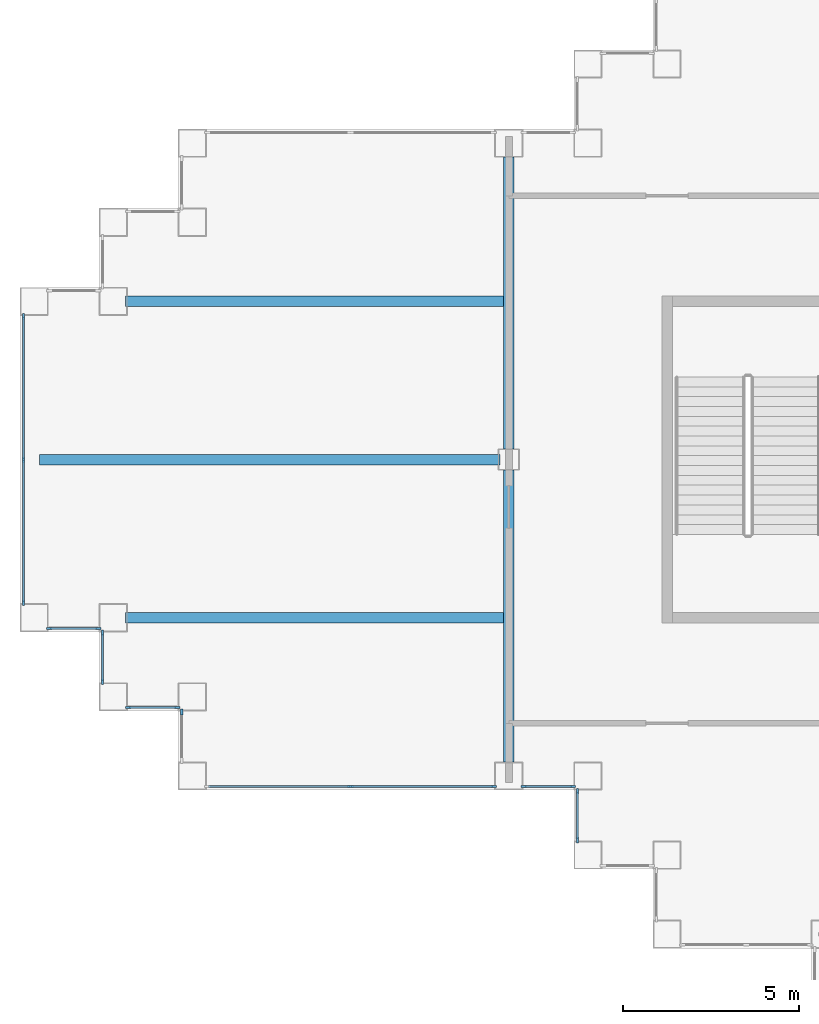
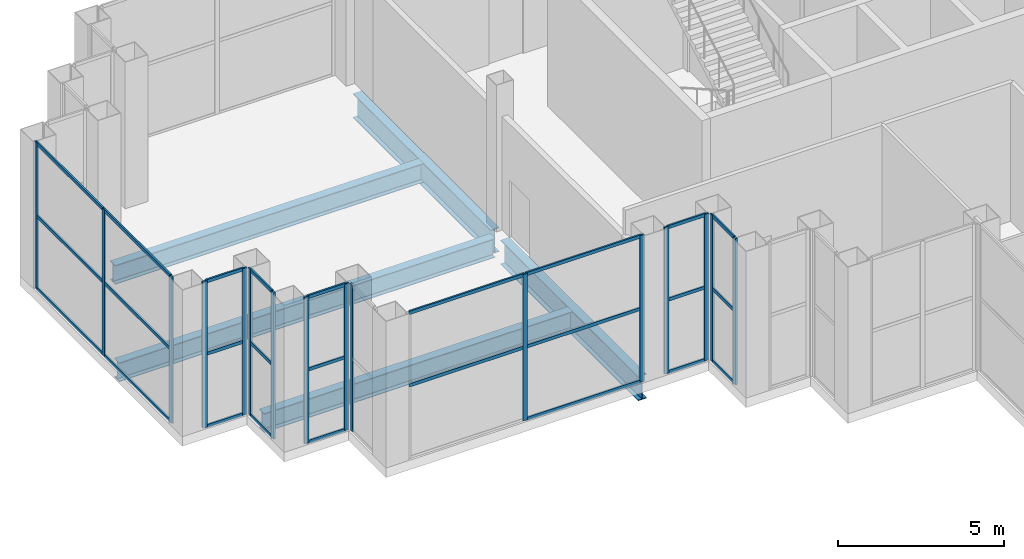
# One storey, part 4 of 18: 42 members, 5 beams, 8 elements without a shape of their own.
"""IFC4 building model written with IfcOpenShell, lengths in metres."""

import ifcopenshell
import ifcopenshell.guid

model = None  # the IFC model being written
_history = None  # IfcOwnerHistory: only IFC2X3 demands one
_inside = {}  # id of a spatial element -> (the spatial element, [elements in it])
_under = {}  # id of a project, library or spatial element -> (it, [spatial elements below it])
_declared = {}  # id of a project -> (the project, [libraries it declares])
_typed = {}  # id of a type object -> (the type object, [elements of that type])
_made_of = {}  # id of a material, layer set ... -> (it, [elements and type objects made of it])


def new_model(schema):
    """Start an empty IFC model of exactly this schema.

    Asked for "IFC4X3", IfcOpenShell would pick the latest addendum, in which some entities
    have other attributes; the version numbers below select the first issue.
    IFC2X3 requires an IfcOwnerHistory on every rooted entity: one is made here for all.
    """
    global model, _history
    if schema == "IFC4X3":
        model = ifcopenshell.file(schema_version=(4, 3, 0, 0))
    else:
        model = ifcopenshell.file(schema=schema)
    _inside.clear()
    _under.clear()
    _declared.clear()
    _typed.clear()
    _made_of.clear()
    _history = None
    if model.schema == "IFC2X3":
        org = make("IfcOrganization", Name="unknown")
        user = make(
            "IfcPersonAndOrganization",
            ThePerson=make("IfcPerson", FamilyName="unknown"),
            TheOrganization=org,
        )
        app = make(
            "IfcApplication",
            ApplicationDeveloper=org,
            Version="unknown",
            ApplicationFullName="unknown",
            ApplicationIdentifier="unknown",
        )
        _history = make(
            "IfcOwnerHistory",
            OwningUser=user,
            OwningApplication=app,
            ChangeAction="ADDED",
            CreationDate=0,
        )
    return model


def make(cls, **values):
    """One entity of the class cls with the attributes given. An attribute that is None is left unset."""
    return model.create_entity(
        cls, **{name: value for name, value in values.items() if value is not None}
    )


def rooted(cls, **values):
    """An entity with a GlobalId (a new one), such as an element, a storey or a relation."""
    return make(cls, GlobalId=ifcopenshell.guid.new(), OwnerHistory=_history, **values)


def si_unit(unit_type, name, prefix=None):
    """IfcSIUnit, for example si_unit("LENGTHUNIT", "METRE", prefix="MILLI")."""
    return make("IfcSIUnit", UnitType=unit_type, Prefix=prefix, Name=name)


def assignment(units):
    """IfcUnitAssignment: the units of a project."""
    return None if units is None else make("IfcUnitAssignment", Units=units)


def point(xyz):
    """IfcCartesianPoint."""
    return None if xyz is None else make("IfcCartesianPoint", Coordinates=xyz)


def direction(xyz):
    """IfcDirection."""
    return None if xyz is None else make("IfcDirection", DirectionRatios=xyz)


def frame(location, z_axis=None, x_axis=None):
    """IfcAxis2Placement3D, a coordinate frame: its origin and axes. An axis left out is left unset."""
    return make(
        "IfcAxis2Placement3D",
        Location=point(location),
        Axis=direction(z_axis),
        RefDirection=direction(x_axis),
    )


def frame_2d(location, x_axis=None):
    """IfcAxis2Placement2D, a coordinate frame in the plane: its origin and x axis."""
    return make(
        "IfcAxis2Placement2D", Location=point(location), RefDirection=direction(x_axis)
    )


def origin():
    """The frame at (0, 0, 0) with its axes left unset."""
    return frame((0.0, 0.0, 0.0))


def origin_2d():
    """The frame at (0, 0) in the plane with its x axis left unset."""
    return frame_2d((0.0, 0.0))


def place(relative_to, where):
    """IfcLocalPlacement: puts the frame where relative to a parent placement (None: the world)."""
    return make(
        "IfcLocalPlacement", PlacementRelTo=relative_to, RelativePlacement=where
    )


def context(
    kind, dimensions, precision=None, world=None, true_north=None, identifier=None
):
    """IfcGeometricRepresentationContext, for example the 3D "Model" context."""
    return make(
        "IfcGeometricRepresentationContext",
        ContextIdentifier=identifier,
        ContextType=kind,
        CoordinateSpaceDimension=dimensions,
        Precision=precision,
        WorldCoordinateSystem=world,
        TrueNorth=true_north,
    )


def subcontext(parent, identifier, kind, view, scale=None):
    """IfcGeometricRepresentationSubContext, for example "Body" below "Model"."""
    return make(
        "IfcGeometricRepresentationSubContext",
        ContextIdentifier=identifier,
        ContextType=kind,
        ParentContext=parent,
        TargetScale=scale,
        TargetView=view,
    )


def project(units=None, contexts=None):
    """IfcProject with its units and contexts."""
    return rooted(
        "IfcProject",
        Name="project",
        RepresentationContexts=contexts,
        UnitsInContext=assignment(units),
    )


def spatial(cls, under=None, at=None, **own):
    """A site, building, storey or space (cls), placed at a placement, below another one or the project."""
    s = rooted(cls, ObjectPlacement=at, **own)
    if under is not None:
        _under.setdefault(under.id(), (under, []))[1].append(s)
    return s


def profile(cls, at=None, kind="AREA", **sizes):
    """A parametric profile (cls). Its sizes go by their IFC names, for example OverallWidth=200.0."""
    return make(cls, ProfileType=kind, Position=at, **sizes)


def rectangle(**sizes):
    """IfcRectangleProfileDef."""
    return profile("IfcRectangleProfileDef", **sizes)


def i_section(**sizes):
    """IfcIShapeProfileDef."""
    return profile("IfcIShapeProfileDef", **sizes)


def extrude(swept, where, along, depth):
    """IfcExtrudedAreaSolid: the profile swept, set in the frame where, extruded along a direction by depth."""
    return make(
        "IfcExtrudedAreaSolid",
        SweptArea=swept,
        Position=where,
        ExtrudedDirection=direction(along),
        Depth=depth,
    )


def shape(context_of_items, identifier, shape_type, items):
    """IfcShapeRepresentation: the items that make up one representation, for example the "Body"."""
    return make(
        "IfcShapeRepresentation",
        ContextOfItems=context_of_items,
        RepresentationIdentifier=identifier,
        RepresentationType=shape_type,
        Items=items,
    )


def material(Name=None, Category=None):
    """IfcMaterial."""
    return make("IfcMaterial", Name=Name, Category=Category)


def layer(
    of_material, thickness, ventilated=None, Name=None, Category=None, Priority=None
):
    """IfcMaterialLayer: one layer of a wall or slab, of a material (None: an air gap)."""
    return make(
        "IfcMaterialLayer",
        Material=of_material,
        LayerThickness=thickness,
        IsVentilated=ventilated,
        Name=Name,
        Category=Category,
        Priority=Priority,
    )


def layer_set(layers, Name=None):
    """IfcMaterialLayerSet."""
    return make("IfcMaterialLayerSet", MaterialLayers=layers, LayerSetName=Name)


def material_profile(
    of_material, cross_section, Name=None, Category=None, Priority=None
):
    """IfcMaterialProfile: a cross section and its material."""
    return make(
        "IfcMaterialProfile",
        Name=Name,
        Material=of_material,
        Profile=cross_section,
        Priority=Priority,
        Category=Category,
    )


def profile_set(profiles, Name=None, composite=None):
    """IfcMaterialProfileSet."""
    return make(
        "IfcMaterialProfileSet",
        Name=Name,
        MaterialProfiles=profiles,
        CompositeProfile=composite,
    )


def made_of(thing, what):
    """Note that an element or type object is made of a material, layer set ...; save() writes the relation."""
    if what is not None:
        _made_of.setdefault(what.id(), (what, []))[1].append(thing)
    return thing


def type_object(cls, material=None, **own):
    """A type object (cls), such as IfcWallType, which elements share."""
    return made_of(rooted(cls, **own), material)


def element(
    cls,
    number,
    at=None,
    inside=None,
    cuts=None,
    type_object=None,
    material=None,
    context=None,
    identifier="Body",
    shape_type=None,
    held_by="IfcProductDefinitionShape",
    body=None,
    shapes=None,
    **own,
):
    """One element of the class cls, such as IfcWall. Its Tag is "e" and its number.

    at: its placement. inside: the storey or other place that contains it. cuts: it is an
    opening in that element (IfcRelVoidsElement). A single representation is given by context,
    identifier, shape_type and body (its items); several are given by shapes. held_by: the class
    of the entity that holds the representations. save() writes the other relations.
    """
    e = rooted(cls, Tag="e%d" % number, ObjectPlacement=at, **own)
    if body is not None:
        shapes = [shape(context, identifier, shape_type, body)]
    if shapes is not None:
        e.Representation = make(held_by, Representations=shapes)
    if inside is not None:
        _inside.setdefault(inside.id(), (inside, []))[1].append(e)
    if cuts is not None:
        rooted(
            "IfcRelVoidsElement", RelatingBuildingElement=cuts, RelatedOpeningElement=e
        )
    if type_object is not None:
        _typed.setdefault(type_object.id(), (type_object, []))[1].append(e)
    return made_of(e, material)


def aggregate(whole, parts):
    """IfcRelAggregates: a whole, such as a stair, and the parts it consists of."""
    return rooted("IfcRelAggregates", RelatingObject=whole, RelatedObjects=parts)


def save(model, path):
    """Write the relations noted so far, then the file.

    IfcRelAggregates (storeys below a building ...), IfcRelContainedInSpatialStructure (elements
    in a storey), IfcRelDefinesByType, IfcRelAssociatesMaterial and IfcRelDeclares: one each for
    every whole, place, type object, material and project.
    """
    for whole, parts in _under.values():
        aggregate(whole, parts)
    for where, things in _inside.values():
        rooted(
            "IfcRelContainedInSpatialStructure",
            RelatedElements=things,
            RelatingStructure=where,
        )
    for kind, things in _typed.values():
        rooted("IfcRelDefinesByType", RelatedObjects=things, RelatingType=kind)
    for what, things in _made_of.values():
        rooted("IfcRelAssociatesMaterial", RelatedObjects=things, RelatingMaterial=what)
    for by, libraries in _declared.values():
        rooted("IfcRelDeclares", RelatingContext=by, RelatedDefinitions=libraries)
    model.write(path)


model = new_model("IFC4")

# Units and contexts
model_context = context("Model", 3, precision=1e-05, world=origin(), true_north=direction((0.0, 1.0)))
body_context = subcontext(model_context, "Body", "Model", "MODEL_VIEW")
ifc_project = project(units=[si_unit("LENGTHUNIT", "METRE"), si_unit("AREAUNIT", "SQUARE_METRE"), si_unit("VOLUMEUNIT", "CUBIC_METRE"), si_unit("PLANEANGLEUNIT", "RADIAN"), si_unit("MASSUNIT", "GRAM", prefix="KILO")], contexts=[model_context])

# Site, building, storey
site_placement = place(None, origin())
site = spatial("IfcSite", under=ifc_project, at=site_placement, CompositionType="ELEMENT")
building_placement = place(site_placement, origin())
building = spatial("IfcBuilding", under=site, at=building_placement, Name="Caravel Reach Hotel and Residences", CompositionType="ELEMENT")
storey_placement = place(building_placement, frame((0.0, 0.0, 145.199951171875)))
storey = spatial("IfcBuildingStorey", under=building, at=storey_placement, Name="L36", CompositionType="ELEMENT", Elevation=145.199951171875)

# Beams
ifc_material_1 = material(Name="Structural steel Q355B", Category="steel")
ifc_material_profile_1 = material_profile(ifc_material_1, i_section(OverallWidth=0.300048828125, OverallDepth=0.699951171875, WebThickness=0.012939453125, FlangeThickness=0.02392578125, FilletRadius=0.01806640625, at=origin_2d()), Name="HN 700x300x13x24")
ifc_profile_set_1 = profile_set([ifc_material_profile_1], Name="Structural steel Q355B")
beam_type_1 = type_object("IfcBeamType", Name="Beam HN 700x300x13x24", PredefinedType="BEAM", material=ifc_profile_set_1)
beam_1_placement = place(storey_placement, frame((13.35009765625, 22.5, -0.699951171875), z_axis=(-1.0, 0.0, 0.0), x_axis=(0.0, -1.0, 0.0)))
element("IfcBeam", 1, at=beam_1_placement, inside=storey, type_object=beam_type_1, Name="B2 HN 700x300x13x24", PredefinedType="BEAM", context=body_context, shape_type="SweptSolid", body=[
    extrude(i_section(OverallWidth=0.300048828125, OverallDepth=0.699951171875, WebThickness=0.012939453125, FlangeThickness=0.02392578125, FilletRadius=0.01806640625, at=origin_2d()), origin(), (0.0, 0.0, 1.0), 10.75),
])
beam_2_placement = place(storey_placement, frame((13.25, 27.0, -0.699951171875), z_axis=(-1.0, 0.0, 0.0), x_axis=(0.0, -1.0, 0.0)))
element("IfcBeam", 2, at=beam_2_placement, inside=storey, type_object=beam_type_1, Name="B2 HN 700x300x13x24", PredefinedType="BEAM", context=body_context, shape_type="SweptSolid", body=[
    extrude(i_section(OverallWidth=0.300048828125, OverallDepth=0.699951171875, WebThickness=0.012939453125, FlangeThickness=0.02392578125, FilletRadius=0.01806640625, at=origin_2d()), origin(), (0.0, 0.0, 1.0), 13.10009765625),
])
beam_3_placement = place(storey_placement, frame((13.35009765625, 31.5, -0.699951171875), z_axis=(-1.0, 0.0, 0.0), x_axis=(0.0, -1.0, 0.0)))
element("IfcBeam", 3, at=beam_3_placement, inside=storey, type_object=beam_type_1, Name="B2 HN 700x300x13x24", PredefinedType="BEAM", context=body_context, shape_type="SweptSolid", body=[
    extrude(i_section(OverallWidth=0.300048828125, OverallDepth=0.699951171875, WebThickness=0.012939453125, FlangeThickness=0.02392578125, FilletRadius=0.01806640625, at=origin_2d()), origin(), (0.0, 0.0, 1.0), 10.75),
])
ifc_material_2 = material(Name="Structural steel Q355B", Category="steel")
ifc_material_profile_2 = material_profile(ifc_material_2, i_section(OverallWidth=0.300048828125, OverallDepth=0.89990234375, WebThickness=0.01611328125, FlangeThickness=0.028076171875, FilletRadius=0.01806640625, at=origin_2d()), Name="HN 900x300x16x28")
ifc_profile_set_2 = profile_set([ifc_material_profile_2], Name="Structural steel Q355B")
beam_type_2 = type_object("IfcBeamType", Name="Beam HN 900x300x16x28", PredefinedType="BEAM", material=ifc_profile_set_2)
for number, where, z_axis, x_axis, name in (
    (4, (13.5, 18.39990234375, -0.800048828125), (0.0, 1.0, 0.0), (-1.0, 0.0, 0.0), "B3 HN 900x300x16x28"),
    (5, (13.5, 27.300048828125, -0.800048828125), (0.0, 1.0, 0.0), (-1.0, 0.0, 0.0), "B3 HN 900x300x16x28"),
):
    element("IfcBeam", number, at=place(storey_placement, frame(where, z_axis=z_axis, x_axis=x_axis)), inside=storey, type_object=beam_type_2, Name=name, PredefinedType="BEAM", context=body_context, shape_type="SweptSolid", body=[
        extrude(i_section(OverallWidth=0.300048828125, OverallDepth=0.89990234375, WebThickness=0.01611328125, FlangeThickness=0.028076171875, FilletRadius=0.01806640625, at=origin_2d()), origin(), (0.0, 0.0, 1.0), 8.300048828125),
    ])

# Curtain wall, members
ifc_material_3 = material(Name="Dark low-e glazing in black aluminium frame", Category="aluminium")
ifc_layer = layer(ifc_material_3, 0.199951171875)
ifc_layer_set = layer_set([ifc_layer], Name="CW2 Sky lobby glazing")
curtain_wall_type = type_object("IfcCurtainWallType", Name="CW2 Sky lobby glazing", PredefinedType="NOTDEFINED", material=ifc_layer_set)
curtain_wall_1_placement = place(storey_placement, origin())
curtain_wall_1 = element("IfcCurtainWall", 6, at=curtain_wall_1_placement, inside=storey, type_object=curtain_wall_type, Name="Sky lobby glazing b0", PredefinedType="NOTDEFINED")
ifc_material_4 = material(Name="Anodised aluminium alloy 6063-T5, black", Category="aluminium")
ifc_material_profile_3 = material_profile(ifc_material_4, rectangle(XDim=0.06005859375, YDim=0.159912109375, at=origin_2d()), Name="CW mullion 60 x 160")
ifc_profile_set_3 = profile_set([ifc_material_profile_3], Name="Anodised aluminium alloy 6063-T5, black")
member_type_1 = type_object("IfcMemberType", Name="CW mullion 60 x 160", PredefinedType="MULLION", material=ifc_profile_set_3)
member_1_placement = place(storey_placement, frame((-0.300048828125, 31.070068359375, 0.0), z_axis=(0.0, 0.0, 1.0), x_axis=(1.0, 0.0, 0.0)))
member_1 = element("IfcMember", 7, at=member_1_placement, type_object=member_type_1, Name="CW2 mullion 1", PredefinedType="MULLION", context=body_context, shape_type="SweptSolid", body=[
    extrude(rectangle(XDim=0.06005859375, YDim=0.159912109375, at=origin_2d()), origin(), (0.0, 0.0, 1.0), 5.400146484375),
])
member_2_placement = place(storey_placement, frame((-0.300048828125, 27.0, 0.0), z_axis=(0.0, 0.0, 1.0), x_axis=(1.0, 0.0, 0.0)))
member_2 = element("IfcMember", 8, at=member_2_placement, type_object=member_type_1, Name="CW2 mullion 2", PredefinedType="MULLION", context=body_context, shape_type="SweptSolid", body=[
    extrude(rectangle(XDim=0.06005859375, YDim=0.159912109375, at=origin_2d()), origin(), (0.0, 0.0, 1.0), 5.400146484375),
])
member_3_placement = place(storey_placement, frame((-0.300048828125, 22.929931640625, 0.0), z_axis=(0.0, 0.0, 1.0), x_axis=(1.0, 0.0, 0.0)))
member_3 = element("IfcMember", 9, at=member_3_placement, type_object=member_type_1, Name="CW2 mullion 3", PredefinedType="MULLION", context=body_context, shape_type="SweptSolid", body=[
    extrude(rectangle(XDim=0.06005859375, YDim=0.159912109375, at=origin_2d()), origin(), (0.0, 0.0, 1.0), 5.400146484375),
])

curtain_wall_2_placement = place(storey_placement, origin())
curtain_wall_2 = element("IfcCurtainWall", 10, at=curtain_wall_2_placement, inside=storey, type_object=curtain_wall_type, Name="Sky lobby glazing b0", PredefinedType="NOTDEFINED")
member_4_placement = place(storey_placement, frame((0.429931640625, 22.199951171875, 0.0), z_axis=(0.0, 0.0, 1.0), x_axis=(0.0, 1.0, 0.0)))
member_4 = element("IfcMember", 11, at=member_4_placement, type_object=member_type_1, Name="CW2 mullion 1", PredefinedType="MULLION", context=body_context, shape_type="SweptSolid", body=[
    extrude(rectangle(XDim=0.06005859375, YDim=0.159912109375, at=origin_2d()), origin(), (0.0, 0.0, 1.0), 5.400146484375),
])
member_5_placement = place(storey_placement, frame((1.820068359375, 22.199951171875, 0.0), z_axis=(0.0, 0.0, 1.0), x_axis=(0.0, 1.0, 0.0)))
member_5 = element("IfcMember", 12, at=member_5_placement, type_object=member_type_1, Name="CW2 mullion 2", PredefinedType="MULLION", context=body_context, shape_type="SweptSolid", body=[
    extrude(rectangle(XDim=0.06005859375, YDim=0.159912109375, at=origin_2d()), origin(), (0.0, 0.0, 1.0), 5.400146484375),
])

curtain_wall_3_placement = place(storey_placement, origin())
curtain_wall_3 = element("IfcCurtainWall", 13, at=curtain_wall_3_placement, inside=storey, type_object=curtain_wall_type, Name="Sky lobby glazing b0", PredefinedType="NOTDEFINED")
member_6_placement = place(storey_placement, frame((1.949951171875, 22.070068359375, 0.0), z_axis=(0.0, 0.0, 1.0), x_axis=(1.0, 0.0, 0.0)))
member_6 = element("IfcMember", 14, at=member_6_placement, type_object=member_type_1, Name="CW2 mullion 1", PredefinedType="MULLION", context=body_context, shape_type="SweptSolid", body=[
    extrude(rectangle(XDim=0.06005859375, YDim=0.159912109375, at=origin_2d()), origin(), (0.0, 0.0, 1.0), 5.400146484375),
])
member_7_placement = place(storey_placement, frame((1.949951171875, 20.679931640625, 0.0), z_axis=(0.0, 0.0, 1.0), x_axis=(1.0, 0.0, 0.0)))
member_7 = element("IfcMember", 15, at=member_7_placement, type_object=member_type_1, Name="CW2 mullion 2", PredefinedType="MULLION", context=body_context, shape_type="SweptSolid", body=[
    extrude(rectangle(XDim=0.06005859375, YDim=0.159912109375, at=origin_2d()), origin(), (0.0, 0.0, 1.0), 5.400146484375),
])

curtain_wall_4_placement = place(storey_placement, origin())
curtain_wall_4 = element("IfcCurtainWall", 16, at=curtain_wall_4_placement, inside=storey, type_object=curtain_wall_type, Name="Sky lobby glazing b0", PredefinedType="NOTDEFINED")
member_8_placement = place(storey_placement, frame((2.679931640625, 19.949951171875, 0.0), z_axis=(0.0, 0.0, 1.0), x_axis=(0.0, 1.0, 0.0)))
member_8 = element("IfcMember", 17, at=member_8_placement, type_object=member_type_1, Name="CW2 mullion 1", PredefinedType="MULLION", context=body_context, shape_type="SweptSolid", body=[
    extrude(rectangle(XDim=0.06005859375, YDim=0.159912109375, at=origin_2d()), origin(), (0.0, 0.0, 1.0), 5.400146484375),
])
member_9_placement = place(storey_placement, frame((4.070068359375, 19.949951171875, 0.0), z_axis=(0.0, 0.0, 1.0), x_axis=(0.0, 1.0, 0.0)))
member_9 = element("IfcMember", 18, at=member_9_placement, type_object=member_type_1, Name="CW2 mullion 2", PredefinedType="MULLION", context=body_context, shape_type="SweptSolid", body=[
    extrude(rectangle(XDim=0.06005859375, YDim=0.159912109375, at=origin_2d()), origin(), (0.0, 0.0, 1.0), 5.400146484375),
])

# Curtain wall, member
curtain_wall_5_placement = place(storey_placement, origin())
curtain_wall_5 = element("IfcCurtainWall", 19, at=curtain_wall_5_placement, inside=storey, type_object=curtain_wall_type, Name="Sky lobby glazing b0", PredefinedType="NOTDEFINED")
member_10_placement = place(storey_placement, frame((4.199951171875, 19.820068359375, 0.0), z_axis=(0.0, 0.0, 1.0), x_axis=(1.0, 0.0, 0.0)))
member_10 = element("IfcMember", 20, at=member_10_placement, type_object=member_type_1, Name="CW2 mullion 1", PredefinedType="MULLION", context=body_context, shape_type="SweptSolid", body=[
    extrude(rectangle(XDim=0.06005859375, YDim=0.159912109375, at=origin_2d()), origin(), (0.0, 0.0, 1.0), 5.400146484375),
])
aggregate(curtain_wall_5, [member_10])

# Curtain wall, members
curtain_wall_6_placement = place(storey_placement, origin())
curtain_wall_6 = element("IfcCurtainWall", 21, at=curtain_wall_6_placement, inside=storey, type_object=curtain_wall_type, Name="Sky lobby glazing b0", PredefinedType="NOTDEFINED")
member_11_placement = place(storey_placement, frame((9.0, 17.699951171875, 0.0), z_axis=(0.0, 0.0, 1.0), x_axis=(0.0, 1.0, 0.0)))
member_11 = element("IfcMember", 22, at=member_11_placement, type_object=member_type_1, Name="CW2 mullion 2", PredefinedType="MULLION", context=body_context, shape_type="SweptSolid", body=[
    extrude(rectangle(XDim=0.06005859375, YDim=0.159912109375, at=origin_2d()), origin(), (0.0, 0.0, 1.0), 5.400146484375),
])
member_12_placement = place(storey_placement, frame((13.070068359375, 17.699951171875, 0.0), z_axis=(0.0, 0.0, 1.0), x_axis=(0.0, 1.0, 0.0)))
member_12 = element("IfcMember", 23, at=member_12_placement, type_object=member_type_1, Name="CW2 mullion 3", PredefinedType="MULLION", context=body_context, shape_type="SweptSolid", body=[
    extrude(rectangle(XDim=0.06005859375, YDim=0.159912109375, at=origin_2d()), origin(), (0.0, 0.0, 1.0), 5.400146484375),
])

curtain_wall_7_placement = place(storey_placement, origin())
curtain_wall_7 = element("IfcCurtainWall", 24, at=curtain_wall_7_placement, inside=storey, type_object=curtain_wall_type, Name="Sky lobby glazing b1", PredefinedType="NOTDEFINED")
member_13_placement = place(storey_placement, frame((13.929931640625, 17.699951171875, 0.0), z_axis=(0.0, 0.0, 1.0), x_axis=(0.0, 1.0, 0.0)))
member_13 = element("IfcMember", 25, at=member_13_placement, type_object=member_type_1, Name="CW2 mullion 1", PredefinedType="MULLION", context=body_context, shape_type="SweptSolid", body=[
    extrude(rectangle(XDim=0.06005859375, YDim=0.159912109375, at=origin_2d()), origin(), (0.0, 0.0, 1.0), 5.400146484375),
])
member_14_placement = place(storey_placement, frame((15.320068359375, 17.699951171875, 0.0), z_axis=(0.0, 0.0, 1.0), x_axis=(0.0, 1.0, 0.0)))
member_14 = element("IfcMember", 26, at=member_14_placement, type_object=member_type_1, Name="CW2 mullion 2", PredefinedType="MULLION", context=body_context, shape_type="SweptSolid", body=[
    extrude(rectangle(XDim=0.06005859375, YDim=0.159912109375, at=origin_2d()), origin(), (0.0, 0.0, 1.0), 5.400146484375),
])

curtain_wall_8_placement = place(storey_placement, origin())
curtain_wall_8 = element("IfcCurtainWall", 27, at=curtain_wall_8_placement, inside=storey, type_object=curtain_wall_type, Name="Sky lobby glazing b0", PredefinedType="NOTDEFINED")
member_15_placement = place(storey_placement, frame((15.449951171875, 17.570068359375, 0.0), z_axis=(0.0, 0.0, 1.0), x_axis=(1.0, 0.0, 0.0)))
member_15 = element("IfcMember", 28, at=member_15_placement, type_object=member_type_1, Name="CW2 mullion 1", PredefinedType="MULLION", context=body_context, shape_type="SweptSolid", body=[
    extrude(rectangle(XDim=0.06005859375, YDim=0.159912109375, at=origin_2d()), origin(), (0.0, 0.0, 1.0), 5.400146484375),
])
member_16_placement = place(storey_placement, frame((15.449951171875, 16.179931640625, 0.0), z_axis=(0.0, 0.0, 1.0), x_axis=(1.0, 0.0, 0.0)))
member_16 = element("IfcMember", 29, at=member_16_placement, type_object=member_type_1, Name="CW2 mullion 2", PredefinedType="MULLION", context=body_context, shape_type="SweptSolid", body=[
    extrude(rectangle(XDim=0.06005859375, YDim=0.159912109375, at=origin_2d()), origin(), (0.0, 0.0, 1.0), 5.400146484375),
])

# Member
ifc_material_5 = material(Name="Anodised aluminium alloy 6063-T5, black", Category="aluminium")
ifc_material_profile_4 = material_profile(ifc_material_5, rectangle(XDim=0.06005859375, YDim=0.1201171875, at=origin_2d()), Name="CW transom 60 x 120")
ifc_profile_set_4 = profile_set([ifc_material_profile_4], Name="Anodised aluminium alloy 6063-T5, black")
member_type_2 = type_object("IfcMemberType", Name="CW transom 60 x 120", PredefinedType="USERDEFINED", material=ifc_profile_set_4)
member_17_placement = place(storey_placement, frame((-0.300048828125, 31.0400390625, 0.030029296875), z_axis=(0.0, -1.0, 0.0), x_axis=(1.0, 0.0, 0.0)))
member_17 = element("IfcMember", 30, at=member_17_placement, type_object=member_type_2, Name="CW2 transom 1.1", ObjectType="TRANSOM", PredefinedType="USERDEFINED", context=body_context, shape_type="SweptSolid", body=[
    extrude(rectangle(XDim=0.06005859375, YDim=0.1201171875, at=origin_2d()), origin(), (0.0, 0.0, 1.0), 4.010009765625),
])

member_18_placement = place(storey_placement, frame((-0.300048828125, 31.0400390625, 2.699951171875), z_axis=(0.0, -1.0, 0.0), x_axis=(1.0, 0.0, 0.0)))
member_18 = element("IfcMember", 31, at=member_18_placement, type_object=member_type_2, Name="CW2 transom 1.2", ObjectType="TRANSOM", PredefinedType="USERDEFINED", context=body_context, shape_type="SweptSolid", body=[
    extrude(rectangle(XDim=0.06005859375, YDim=0.1201171875, at=origin_2d()), origin(), (0.0, 0.0, 1.0), 4.010009765625),
])

member_19_placement = place(storey_placement, frame((-0.300048828125, 31.0400390625, 5.3701171875), z_axis=(0.0, -1.0, 0.0), x_axis=(1.0, 0.0, 0.0)))
member_19 = element("IfcMember", 32, at=member_19_placement, type_object=member_type_2, Name="CW2 transom 1.3", ObjectType="TRANSOM", PredefinedType="USERDEFINED", context=body_context, shape_type="SweptSolid", body=[
    extrude(rectangle(XDim=0.06005859375, YDim=0.1201171875, at=origin_2d()), origin(), (0.0, 0.0, 1.0), 4.010009765625),
])

member_20_placement = place(storey_placement, frame((-0.300048828125, 26.969970703125, 0.030029296875), z_axis=(0.0, -1.0, 0.0), x_axis=(1.0, 0.0, 0.0)))
member_20 = element("IfcMember", 33, at=member_20_placement, type_object=member_type_2, Name="CW2 transom 2.1", ObjectType="TRANSOM", PredefinedType="USERDEFINED", context=body_context, shape_type="SweptSolid", body=[
    extrude(rectangle(XDim=0.06005859375, YDim=0.1201171875, at=origin_2d()), origin(), (0.0, 0.0, 1.0), 4.010009765625),
])

member_21_placement = place(storey_placement, frame((-0.300048828125, 26.969970703125, 2.699951171875), z_axis=(0.0, -1.0, 0.0), x_axis=(1.0, 0.0, 0.0)))
member_21 = element("IfcMember", 34, at=member_21_placement, type_object=member_type_2, Name="CW2 transom 2.2", ObjectType="TRANSOM", PredefinedType="USERDEFINED", context=body_context, shape_type="SweptSolid", body=[
    extrude(rectangle(XDim=0.06005859375, YDim=0.1201171875, at=origin_2d()), origin(), (0.0, 0.0, 1.0), 4.010009765625),
])

member_22_placement = place(storey_placement, frame((-0.300048828125, 26.969970703125, 5.3701171875), z_axis=(0.0, -1.0, 0.0), x_axis=(1.0, 0.0, 0.0)))
member_22 = element("IfcMember", 35, at=member_22_placement, type_object=member_type_2, Name="CW2 transom 2.3", ObjectType="TRANSOM", PredefinedType="USERDEFINED", context=body_context, shape_type="SweptSolid", body=[
    extrude(rectangle(XDim=0.06005859375, YDim=0.1201171875, at=origin_2d()), origin(), (0.0, 0.0, 1.0), 4.010009765625),
])

aggregate(curtain_wall_1, [member_1, member_2, member_3, member_17, member_18, member_19, member_20, member_21, member_22])

member_23_placement = place(storey_placement, frame((0.4599609375, 22.199951171875, 0.030029296875), z_axis=(1.0, 0.0, 0.0), x_axis=(0.0, 1.0, 0.0)))
member_23 = element("IfcMember", 36, at=member_23_placement, type_object=member_type_2, Name="CW2 transom 1.1", ObjectType="TRANSOM", PredefinedType="USERDEFINED", context=body_context, shape_type="SweptSolid", body=[
    extrude(rectangle(XDim=0.06005859375, YDim=0.1201171875, at=origin_2d()), origin(), (0.0, 0.0, 1.0), 1.330078125),
])

member_24_placement = place(storey_placement, frame((0.4599609375, 22.199951171875, 2.699951171875), z_axis=(1.0, 0.0, 0.0), x_axis=(0.0, 1.0, 0.0)))
member_24 = element("IfcMember", 37, at=member_24_placement, type_object=member_type_2, Name="CW2 transom 1.2", ObjectType="TRANSOM", PredefinedType="USERDEFINED", context=body_context, shape_type="SweptSolid", body=[
    extrude(rectangle(XDim=0.06005859375, YDim=0.1201171875, at=origin_2d()), origin(), (0.0, 0.0, 1.0), 1.330078125),
])

member_25_placement = place(storey_placement, frame((0.4599609375, 22.199951171875, 5.3701171875), z_axis=(1.0, 0.0, 0.0), x_axis=(0.0, 1.0, 0.0)))
member_25 = element("IfcMember", 38, at=member_25_placement, type_object=member_type_2, Name="CW2 transom 1.3", ObjectType="TRANSOM", PredefinedType="USERDEFINED", context=body_context, shape_type="SweptSolid", body=[
    extrude(rectangle(XDim=0.06005859375, YDim=0.1201171875, at=origin_2d()), origin(), (0.0, 0.0, 1.0), 1.330078125),
])

aggregate(curtain_wall_2, [member_4, member_5, member_23, member_24, member_25])

member_26_placement = place(storey_placement, frame((1.949951171875, 22.0400390625, 0.030029296875), z_axis=(0.0, -1.0, 0.0), x_axis=(1.0, 0.0, 0.0)))
member_26 = element("IfcMember", 39, at=member_26_placement, type_object=member_type_2, Name="CW2 transom 1.1", ObjectType="TRANSOM", PredefinedType="USERDEFINED", context=body_context, shape_type="SweptSolid", body=[
    extrude(rectangle(XDim=0.06005859375, YDim=0.1201171875, at=origin_2d()), origin(), (0.0, 0.0, 1.0), 1.330078125),
])

member_27_placement = place(storey_placement, frame((1.949951171875, 22.0400390625, 2.699951171875), z_axis=(0.0, -1.0, 0.0), x_axis=(1.0, 0.0, 0.0)))
member_27 = element("IfcMember", 40, at=member_27_placement, type_object=member_type_2, Name="CW2 transom 1.2", ObjectType="TRANSOM", PredefinedType="USERDEFINED", context=body_context, shape_type="SweptSolid", body=[
    extrude(rectangle(XDim=0.06005859375, YDim=0.1201171875, at=origin_2d()), origin(), (0.0, 0.0, 1.0), 1.330078125),
])

member_28_placement = place(storey_placement, frame((1.949951171875, 22.0400390625, 5.3701171875), z_axis=(0.0, -1.0, 0.0), x_axis=(1.0, 0.0, 0.0)))
member_28 = element("IfcMember", 41, at=member_28_placement, type_object=member_type_2, Name="CW2 transom 1.3", ObjectType="TRANSOM", PredefinedType="USERDEFINED", context=body_context, shape_type="SweptSolid", body=[
    extrude(rectangle(XDim=0.06005859375, YDim=0.1201171875, at=origin_2d()), origin(), (0.0, 0.0, 1.0), 1.330078125),
])

aggregate(curtain_wall_3, [member_6, member_7, member_26, member_27, member_28])

member_29_placement = place(storey_placement, frame((2.7099609375, 19.949951171875, 0.030029296875), z_axis=(1.0, 0.0, 0.0), x_axis=(0.0, 1.0, 0.0)))
member_29 = element("IfcMember", 42, at=member_29_placement, type_object=member_type_2, Name="CW2 transom 1.1", ObjectType="TRANSOM", PredefinedType="USERDEFINED", context=body_context, shape_type="SweptSolid", body=[
    extrude(rectangle(XDim=0.06005859375, YDim=0.1201171875, at=origin_2d()), origin(), (0.0, 0.0, 1.0), 1.330078125),
])

member_30_placement = place(storey_placement, frame((2.7099609375, 19.949951171875, 2.699951171875), z_axis=(1.0, 0.0, 0.0), x_axis=(0.0, 1.0, 0.0)))
member_30 = element("IfcMember", 43, at=member_30_placement, type_object=member_type_2, Name="CW2 transom 1.2", ObjectType="TRANSOM", PredefinedType="USERDEFINED", context=body_context, shape_type="SweptSolid", body=[
    extrude(rectangle(XDim=0.06005859375, YDim=0.1201171875, at=origin_2d()), origin(), (0.0, 0.0, 1.0), 1.330078125),
])

member_31_placement = place(storey_placement, frame((2.7099609375, 19.949951171875, 5.3701171875), z_axis=(1.0, 0.0, 0.0), x_axis=(0.0, 1.0, 0.0)))
member_31 = element("IfcMember", 44, at=member_31_placement, type_object=member_type_2, Name="CW2 transom 1.3", ObjectType="TRANSOM", PredefinedType="USERDEFINED", context=body_context, shape_type="SweptSolid", body=[
    extrude(rectangle(XDim=0.06005859375, YDim=0.1201171875, at=origin_2d()), origin(), (0.0, 0.0, 1.0), 1.330078125),
])

aggregate(curtain_wall_4, [member_8, member_9, member_29, member_30, member_31])

member_32_placement = place(storey_placement, frame((4.9599609375, 17.699951171875, 2.699951171875), z_axis=(1.0, 0.0, 0.0), x_axis=(0.0, 1.0, 0.0)))
member_32 = element("IfcMember", 45, at=member_32_placement, type_object=member_type_2, Name="CW2 transom 1.2", ObjectType="TRANSOM", PredefinedType="USERDEFINED", context=body_context, shape_type="SweptSolid", body=[
    extrude(rectangle(XDim=0.06005859375, YDim=0.1201171875, at=origin_2d()), origin(), (0.0, 0.0, 1.0), 4.010009765625),
])

member_33_placement = place(storey_placement, frame((4.9599609375, 17.699951171875, 5.3701171875), z_axis=(1.0, 0.0, 0.0), x_axis=(0.0, 1.0, 0.0)))
member_33 = element("IfcMember", 46, at=member_33_placement, type_object=member_type_2, Name="CW2 transom 1.3", ObjectType="TRANSOM", PredefinedType="USERDEFINED", context=body_context, shape_type="SweptSolid", body=[
    extrude(rectangle(XDim=0.06005859375, YDim=0.1201171875, at=origin_2d()), origin(), (0.0, 0.0, 1.0), 4.010009765625),
])

member_34_placement = place(storey_placement, frame((9.030029296875, 17.699951171875, 0.030029296875), z_axis=(1.0, 0.0, 0.0), x_axis=(0.0, 1.0, 0.0)))
member_34 = element("IfcMember", 47, at=member_34_placement, type_object=member_type_2, Name="CW2 transom 2.1", ObjectType="TRANSOM", PredefinedType="USERDEFINED", context=body_context, shape_type="SweptSolid", body=[
    extrude(rectangle(XDim=0.06005859375, YDim=0.1201171875, at=origin_2d()), origin(), (0.0, 0.0, 1.0), 4.010009765625),
])

member_35_placement = place(storey_placement, frame((9.030029296875, 17.699951171875, 2.699951171875), z_axis=(1.0, 0.0, 0.0), x_axis=(0.0, 1.0, 0.0)))
member_35 = element("IfcMember", 48, at=member_35_placement, type_object=member_type_2, Name="CW2 transom 2.2", ObjectType="TRANSOM", PredefinedType="USERDEFINED", context=body_context, shape_type="SweptSolid", body=[
    extrude(rectangle(XDim=0.06005859375, YDim=0.1201171875, at=origin_2d()), origin(), (0.0, 0.0, 1.0), 4.010009765625),
])

member_36_placement = place(storey_placement, frame((9.030029296875, 17.699951171875, 5.3701171875), z_axis=(1.0, 0.0, 0.0), x_axis=(0.0, 1.0, 0.0)))
member_36 = element("IfcMember", 49, at=member_36_placement, type_object=member_type_2, Name="CW2 transom 2.3", ObjectType="TRANSOM", PredefinedType="USERDEFINED", context=body_context, shape_type="SweptSolid", body=[
    extrude(rectangle(XDim=0.06005859375, YDim=0.1201171875, at=origin_2d()), origin(), (0.0, 0.0, 1.0), 4.010009765625),
])

aggregate(curtain_wall_6, [member_11, member_12, member_32, member_33, member_34, member_35, member_36])

member_37_placement = place(storey_placement, frame((13.9599609375, 17.699951171875, 0.030029296875), z_axis=(1.0, 0.0, 0.0), x_axis=(0.0, 1.0, 0.0)))
member_37 = element("IfcMember", 50, at=member_37_placement, type_object=member_type_2, Name="CW2 transom 1.1", ObjectType="TRANSOM", PredefinedType="USERDEFINED", context=body_context, shape_type="SweptSolid", body=[
    extrude(rectangle(XDim=0.06005859375, YDim=0.1201171875, at=origin_2d()), origin(), (0.0, 0.0, 1.0), 1.330078125),
])

member_38_placement = place(storey_placement, frame((13.9599609375, 17.699951171875, 2.699951171875), z_axis=(1.0, 0.0, 0.0), x_axis=(0.0, 1.0, 0.0)))
member_38 = element("IfcMember", 51, at=member_38_placement, type_object=member_type_2, Name="CW2 transom 1.2", ObjectType="TRANSOM", PredefinedType="USERDEFINED", context=body_context, shape_type="SweptSolid", body=[
    extrude(rectangle(XDim=0.06005859375, YDim=0.1201171875, at=origin_2d()), origin(), (0.0, 0.0, 1.0), 1.330078125),
])

member_39_placement = place(storey_placement, frame((13.9599609375, 17.699951171875, 5.3701171875), z_axis=(1.0, 0.0, 0.0), x_axis=(0.0, 1.0, 0.0)))
member_39 = element("IfcMember", 52, at=member_39_placement, type_object=member_type_2, Name="CW2 transom 1.3", ObjectType="TRANSOM", PredefinedType="USERDEFINED", context=body_context, shape_type="SweptSolid", body=[
    extrude(rectangle(XDim=0.06005859375, YDim=0.1201171875, at=origin_2d()), origin(), (0.0, 0.0, 1.0), 1.330078125),
])

aggregate(curtain_wall_7, [member_13, member_14, member_37, member_38, member_39])

member_40_placement = place(storey_placement, frame((15.449951171875, 17.5400390625, 0.030029296875), z_axis=(0.0, -1.0, 0.0), x_axis=(1.0, 0.0, 0.0)))
member_40 = element("IfcMember", 53, at=member_40_placement, type_object=member_type_2, Name="CW2 transom 1.1", ObjectType="TRANSOM", PredefinedType="USERDEFINED", context=body_context, shape_type="SweptSolid", body=[
    extrude(rectangle(XDim=0.06005859375, YDim=0.1201171875, at=origin_2d()), origin(), (0.0, 0.0, 1.0), 1.330078125),
])

member_41_placement = place(storey_placement, frame((15.449951171875, 17.5400390625, 2.699951171875), z_axis=(0.0, -1.0, 0.0), x_axis=(1.0, 0.0, 0.0)))
member_41 = element("IfcMember", 54, at=member_41_placement, type_object=member_type_2, Name="CW2 transom 1.2", ObjectType="TRANSOM", PredefinedType="USERDEFINED", context=body_context, shape_type="SweptSolid", body=[
    extrude(rectangle(XDim=0.06005859375, YDim=0.1201171875, at=origin_2d()), origin(), (0.0, 0.0, 1.0), 1.330078125),
])

member_42_placement = place(storey_placement, frame((15.449951171875, 17.5400390625, 5.3701171875), z_axis=(0.0, -1.0, 0.0), x_axis=(1.0, 0.0, 0.0)))
member_42 = element("IfcMember", 55, at=member_42_placement, type_object=member_type_2, Name="CW2 transom 1.3", ObjectType="TRANSOM", PredefinedType="USERDEFINED", context=body_context, shape_type="SweptSolid", body=[
    extrude(rectangle(XDim=0.06005859375, YDim=0.1201171875, at=origin_2d()), origin(), (0.0, 0.0, 1.0), 1.330078125),
])

aggregate(curtain_wall_8, [member_15, member_16, member_40, member_41, member_42])

save(model, "model.ifc")
